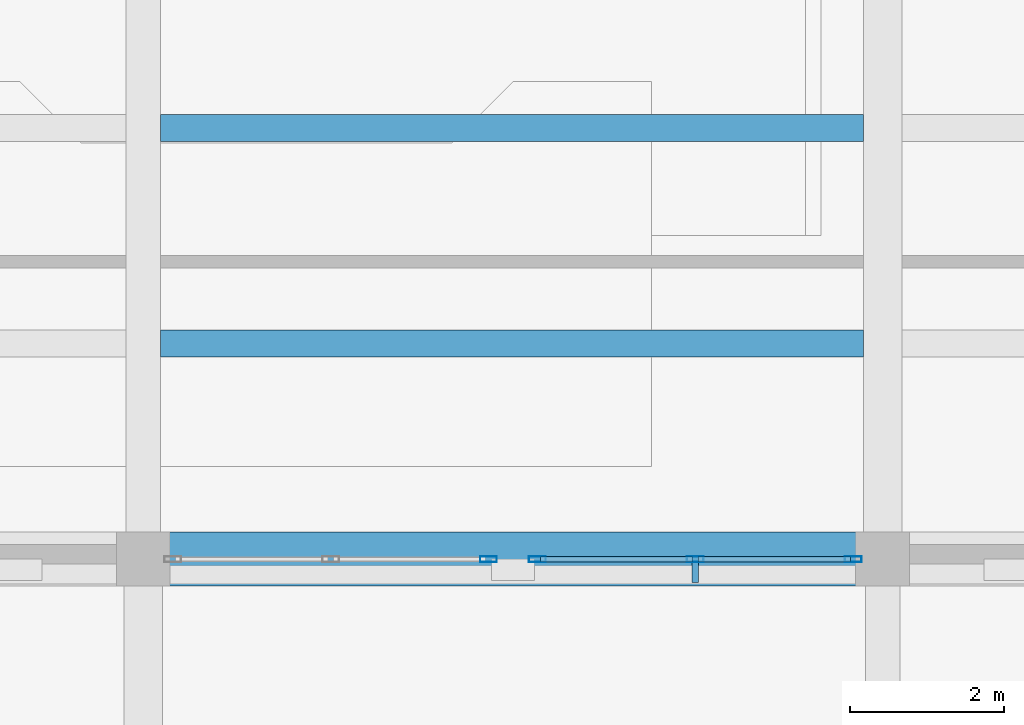
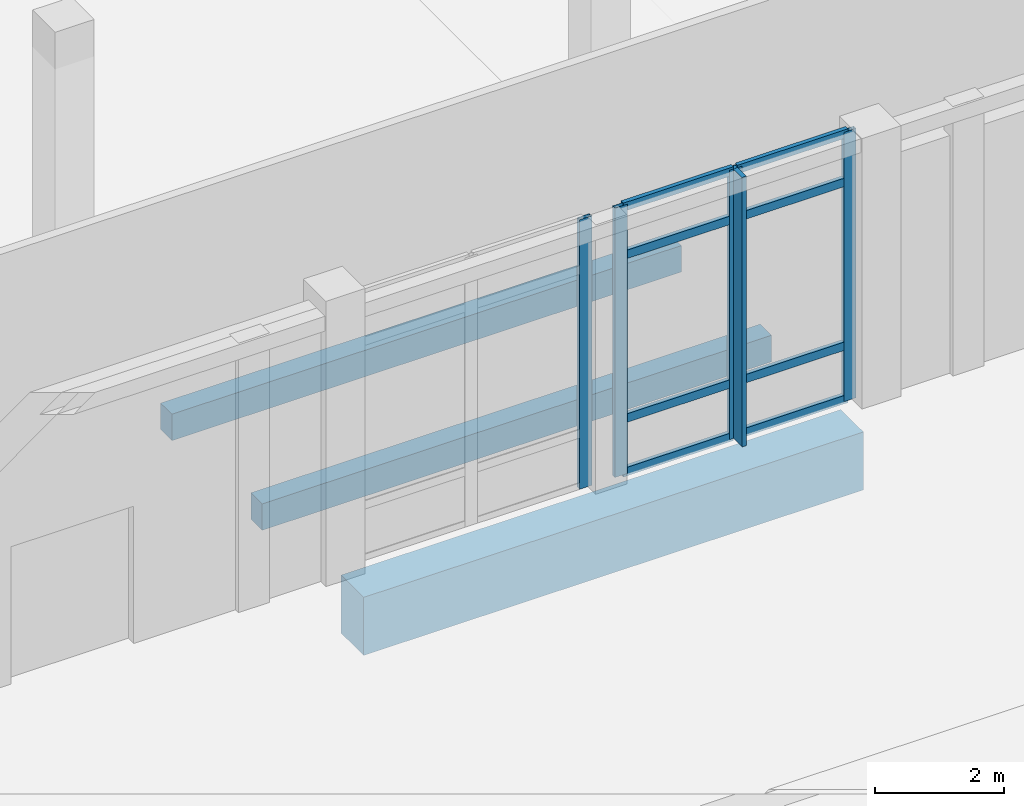
# One storey, part 24 of 71: 13 members, 3 beams, 2 elements without a shape of their own.
"""IFC4 building model written with IfcOpenShell, lengths in metres."""

from ifc_helpers import new_model, si_unit, direction, frame, origin, origin_2d, place, context, subcontext, project, spatial, rectangle, hollow_rectangle, extrude, material, layer, layer_set, material_profile, profile_set, type_object, element, aggregate, save


model = new_model("IFC4")

# Units and contexts
model_context = context("Model", 3, precision=1e-05, world=origin(), true_north=direction((0.0, 1.0)))
body_context = subcontext(model_context, "Body", "Model", "MODEL_VIEW")
ifc_project = project(units=[si_unit("LENGTHUNIT", "METRE"), si_unit("AREAUNIT", "SQUARE_METRE"), si_unit("VOLUMEUNIT", "CUBIC_METRE"), si_unit("PLANEANGLEUNIT", "RADIAN"), si_unit("MASSUNIT", "GRAM", prefix="KILO")], contexts=[model_context])

# Site, building, storey
site_placement = place(None, origin())
site = spatial("IfcSite", under=ifc_project, at=site_placement, CompositionType="ELEMENT")
building_placement = place(site_placement, origin())
building = spatial("IfcBuilding", under=site, at=building_placement, Name="Lornevale Opera House", CompositionType="ELEMENT")
storey_placement = place(building_placement, origin())
storey = spatial("IfcBuildingStorey", under=building, at=storey_placement, Name="L01", CompositionType="ELEMENT", Elevation=0.0)

# Beams
ifc_material_1 = material(Name="Concrete 40 MPa (CSA A23.1 C-1)", Category="concrete")
ifc_material_profile_1 = material_profile(ifc_material_1, rectangle(XDim=0.699951171875, YDim=1.10009765625, at=origin_2d()), Name="RC700x1100")
ifc_profile_set_1 = profile_set([ifc_material_profile_1], Name="Concrete 40 MPa (CSA A23.1 C-1)")
beam_type_1 = type_object("IfcBeamType", Name="Concrete Primary Girder 700x1100", PredefinedType="USERDEFINED", material=ifc_profile_set_1)
beam_placement = place(storey_placement, frame((86.72509765625, 16.800048828125, -0.989990234375), z_axis=(1.0, 0.0, 0.0), x_axis=(0.0, 1.0, 0.0)))
element("IfcBeam", 1, at=beam_placement, inside=storey, type_object=beam_type_1, Name="Concrete Primary Girder 700x1100 0881", ObjectType="GIRDER", PredefinedType="USERDEFINED", context=body_context, shape_type="SweptSolid", body=[
    extrude(rectangle(XDim=0.699951171875, YDim=1.10009765625, at=origin_2d()), origin(), (0.0, 0.0, 1.0), 8.949951171875),
])
ifc_material_2 = material(Name="Concrete 35 MPa (CSA A23.1 N)", Category="concrete")
ifc_material_profile_2 = material_profile(ifc_material_2, rectangle(XDim=0.35009765625, YDim=0.5, at=origin_2d()), Name="RC350x500")
ifc_profile_set_2 = profile_set([ifc_material_profile_2], Name="Concrete 35 MPa (CSA A23.1 N)")
beam_type_2 = type_object("IfcBeamType", Name="Concrete Secondary Rib 350x500", PredefinedType="JOIST", material=ifc_profile_set_2)
for number, where, z_axis, x_axis, name in (
    (2, (86.625, 19.60009765625, -0.68994140625), (1.0, 0.0, 0.0), (0.0, 1.0, 0.0), "Concrete Secondary Rib 350x500 1517"),
    (3, (86.625, 22.39990234375, -0.68994140625), (1.0, 0.0, 0.0), (0.0, 1.0, 0.0), "Concrete Secondary Rib 350x500 1518"),
):
    element("IfcBeam", number, at=place(storey_placement, frame(where, z_axis=z_axis, x_axis=x_axis)), inside=storey, type_object=beam_type_2, Name=name, PredefinedType="JOIST", context=body_context, shape_type="SweptSolid", body=[
        extrude(rectangle(XDim=0.35009765625, YDim=0.5, at=origin_2d()), origin(), (0.0, 0.0, 1.0), 9.125),
    ])

# Curtain wall, members
ifc_material_3 = material(Name="Anodized Oxide-Green Aluminium Framing", Category="aluminium")
ifc_layer = layer(ifc_material_3, 0.215087890625)
ifc_layer_set = layer_set([ifc_layer], Name="Anodized Oxide-Green Aluminium Framing")
curtain_wall_type = type_object("IfcCurtainWallType", Name="Grand Foyer Curtain Wall M2000", PredefinedType="NOTDEFINED", material=ifc_layer_set)
curtain_wall_1_placement = place(storey_placement, origin())
curtain_wall_1 = element("IfcCurtainWall", 4, at=curtain_wall_1_placement, inside=storey, type_object=curtain_wall_type, Name="Grand Foyer Curtain Wall M2000 CW-015", PredefinedType="NOTDEFINED")
ifc_material_profile_3 = material_profile(ifc_material_3, hollow_rectangle(XDim=0.074951171875, YDim=0.219970703125, WallThickness=0.0048828125, at=origin_2d()), Name="ALU75x220x5")
ifc_profile_set_3 = profile_set([ifc_material_profile_3], Name="Anodized Oxide-Green Aluminium Framing")
member_type_1 = type_object("IfcMemberType", Name="Curtain Wall Mullion 75x220", PredefinedType="MULLION", material=ifc_profile_set_3)
member_1_placement = place(storey_placement, frame((95.616455078125, 16.800048828125, 0.0), z_axis=(0.0, 0.0, 1.0), x_axis=(0.0, -1.0, 0.0)))
member_1 = element("IfcMember", 5, at=member_1_placement, type_object=member_type_1, Name="Curtain Wall Mullion 75x220 CW0239", PredefinedType="MULLION", context=body_context, shape_type="SweptSolid", body=[
    extrude(hollow_rectangle(XDim=0.074951171875, YDim=0.219970703125, WallThickness=0.0048828125, at=origin_2d()), origin(), (0.0, 0.0, 1.0), 5.10009765625),
])
member_2_placement = place(storey_placement, frame((93.56689453125, 16.800048828125, 0.0), z_axis=(0.0, 0.0, 1.0), x_axis=(0.0, -1.0, 0.0)))
member_2 = element("IfcMember", 6, at=member_2_placement, type_object=member_type_1, Name="Curtain Wall Mullion 75x220 CW0240", PredefinedType="MULLION", context=body_context, shape_type="SweptSolid", body=[
    extrude(hollow_rectangle(XDim=0.074951171875, YDim=0.219970703125, WallThickness=0.0048828125, at=origin_2d()), origin(), (0.0, 0.0, 1.0), 5.10009765625),
])
member_3_placement = place(storey_placement, frame((91.517578125, 16.800048828125, 0.0), z_axis=(0.0, 0.0, 1.0), x_axis=(0.0, -1.0, 0.0)))
member_3 = element("IfcMember", 7, at=member_3_placement, type_object=member_type_1, Name="Curtain Wall Mullion 75x220 CW0241", PredefinedType="MULLION", context=body_context, shape_type="SweptSolid", body=[
    extrude(hollow_rectangle(XDim=0.074951171875, YDim=0.219970703125, WallThickness=0.0048828125, at=origin_2d()), origin(), (0.0, 0.0, 1.0), 5.10009765625),
])

# Curtain wall, member
curtain_wall_2_placement = place(storey_placement, origin())
curtain_wall_2 = element("IfcCurtainWall", 8, at=curtain_wall_2_placement, inside=storey, type_object=curtain_wall_type, Name="Grand Foyer Curtain Wall M2000 CW-016", PredefinedType="NOTDEFINED")
member_4_placement = place(storey_placement, frame((90.882568359375, 16.800048828125, 0.0), z_axis=(0.0, 0.0, 1.0), x_axis=(0.0, -1.0, 0.0)))
member_4 = element("IfcMember", 9, at=member_4_placement, type_object=member_type_1, Name="Curtain Wall Mullion 75x220 CW0256", PredefinedType="MULLION", context=body_context, shape_type="SweptSolid", body=[
    extrude(hollow_rectangle(XDim=0.074951171875, YDim=0.219970703125, WallThickness=0.0048828125, at=origin_2d()), origin(), (0.0, 0.0, 1.0), 5.10009765625),
])
aggregate(curtain_wall_2, [member_4])

# Member
ifc_material_profile_4 = material_profile(ifc_material_3, hollow_rectangle(XDim=0.074951171875, YDim=0.159912109375, WallThickness=0.0048828125, at=origin_2d()), Name="ALU75x160x5")
ifc_profile_set_4 = profile_set([ifc_material_profile_4], Name="Anodized Oxide-Green Aluminium Framing")
member_type_2 = type_object("IfcMemberType", Name="Curtain Wall Transom 75x160", PredefinedType="USERDEFINED", material=ifc_profile_set_4)
member_5_placement = place(storey_placement, frame((95.5791015625, 16.800048828125, 0.03759765625), z_axis=(-1.0, 0.0, 0.0), x_axis=(0.0, -1.0, 0.0)))
member_5 = element("IfcMember", 10, at=member_5_placement, type_object=member_type_2, Name="Curtain Wall Transom 75x160 CW0242", ObjectType="TRANSOM", PredefinedType="USERDEFINED", context=body_context, shape_type="SweptSolid", body=[
    extrude(hollow_rectangle(XDim=0.074951171875, YDim=0.159912109375, WallThickness=0.0048828125, at=origin_2d()), origin(), (0.0, 0.0, 1.0), 1.974609375),
])

member_6_placement = place(storey_placement, frame((95.5791015625, 16.800048828125, 1.050048828125), z_axis=(-1.0, 0.0, 0.0), x_axis=(0.0, -1.0, 0.0)))
member_6 = element("IfcMember", 11, at=member_6_placement, type_object=member_type_2, Name="Curtain Wall Transom 75x160 CW0243", ObjectType="TRANSOM", PredefinedType="USERDEFINED", context=body_context, shape_type="SweptSolid", body=[
    extrude(hollow_rectangle(XDim=0.074951171875, YDim=0.159912109375, WallThickness=0.0048828125, at=origin_2d()), origin(), (0.0, 0.0, 1.0), 1.974609375),
])

member_7_placement = place(storey_placement, frame((95.5791015625, 16.800048828125, 4.14990234375), z_axis=(-1.0, 0.0, 0.0), x_axis=(0.0, -1.0, 0.0)))
member_7 = element("IfcMember", 12, at=member_7_placement, type_object=member_type_2, Name="Curtain Wall Transom 75x160 CW0244", ObjectType="TRANSOM", PredefinedType="USERDEFINED", context=body_context, shape_type="SweptSolid", body=[
    extrude(hollow_rectangle(XDim=0.074951171875, YDim=0.159912109375, WallThickness=0.0048828125, at=origin_2d()), origin(), (0.0, 0.0, 1.0), 1.974609375),
])

member_8_placement = place(storey_placement, frame((95.5791015625, 16.800048828125, 5.0625), z_axis=(-1.0, 0.0, 0.0), x_axis=(0.0, -1.0, 0.0)))
member_8 = element("IfcMember", 13, at=member_8_placement, type_object=member_type_2, Name="Curtain Wall Transom 75x160 CW0245", ObjectType="TRANSOM", PredefinedType="USERDEFINED", context=body_context, shape_type="SweptSolid", body=[
    extrude(hollow_rectangle(XDim=0.074951171875, YDim=0.159912109375, WallThickness=0.0048828125, at=origin_2d()), origin(), (0.0, 0.0, 1.0), 1.974609375),
])

member_9_placement = place(storey_placement, frame((93.529541015625, 16.800048828125, 0.03759765625), z_axis=(-1.0, 0.0, 0.0), x_axis=(0.0, -1.0, 0.0)))
member_9 = element("IfcMember", 14, at=member_9_placement, type_object=member_type_2, Name="Curtain Wall Transom 75x160 CW0249", ObjectType="TRANSOM", PredefinedType="USERDEFINED", context=body_context, shape_type="SweptSolid", body=[
    extrude(hollow_rectangle(XDim=0.074951171875, YDim=0.159912109375, WallThickness=0.0048828125, at=origin_2d()), origin(), (0.0, 0.0, 1.0), 1.974609375),
])

member_10_placement = place(storey_placement, frame((93.529541015625, 16.800048828125, 1.050048828125), z_axis=(-1.0, 0.0, 0.0), x_axis=(0.0, -1.0, 0.0)))
member_10 = element("IfcMember", 15, at=member_10_placement, type_object=member_type_2, Name="Curtain Wall Transom 75x160 CW0250", ObjectType="TRANSOM", PredefinedType="USERDEFINED", context=body_context, shape_type="SweptSolid", body=[
    extrude(hollow_rectangle(XDim=0.074951171875, YDim=0.159912109375, WallThickness=0.0048828125, at=origin_2d()), origin(), (0.0, 0.0, 1.0), 1.974609375),
])

member_11_placement = place(storey_placement, frame((93.529541015625, 16.800048828125, 4.14990234375), z_axis=(-1.0, 0.0, 0.0), x_axis=(0.0, -1.0, 0.0)))
member_11 = element("IfcMember", 16, at=member_11_placement, type_object=member_type_2, Name="Curtain Wall Transom 75x160 CW0251", ObjectType="TRANSOM", PredefinedType="USERDEFINED", context=body_context, shape_type="SweptSolid", body=[
    extrude(hollow_rectangle(XDim=0.074951171875, YDim=0.159912109375, WallThickness=0.0048828125, at=origin_2d()), origin(), (0.0, 0.0, 1.0), 1.974609375),
])

member_12_placement = place(storey_placement, frame((93.529541015625, 16.800048828125, 5.0625), z_axis=(-1.0, 0.0, 0.0), x_axis=(0.0, -1.0, 0.0)))
member_12 = element("IfcMember", 17, at=member_12_placement, type_object=member_type_2, Name="Curtain Wall Transom 75x160 CW0252", ObjectType="TRANSOM", PredefinedType="USERDEFINED", context=body_context, shape_type="SweptSolid", body=[
    extrude(hollow_rectangle(XDim=0.074951171875, YDim=0.159912109375, WallThickness=0.0048828125, at=origin_2d()), origin(), (0.0, 0.0, 1.0), 1.974609375),
])

ifc_material_4 = material(Name="Architectural Bronze Solar Louvre Alloy", Category="metal")
ifc_material_profile_5 = material_profile(ifc_material_4, rectangle(XDim=0.080078125, YDim=0.360107421875, at=origin_2d()), Name="FIN80x360")
ifc_profile_set_5 = profile_set([ifc_material_profile_5], Name="Architectural Bronze Solar Louvre Alloy")
member_type_3 = type_object("IfcMemberType", Name="Solar Shading Fin 80x360", PredefinedType="USERDEFINED", material=ifc_profile_set_5)
member_13_placement = place(storey_placement, frame((93.56689453125, 16.674072265625, 0.0), z_axis=(0.0, 0.0, 1.0), x_axis=(-1.0, 0.0, 0.0)))
member_13 = element("IfcMember", 18, at=member_13_placement, type_object=member_type_3, Name="Solar Shading Fin 80x360 FIN0008", ObjectType="SOLAR FIN", PredefinedType="USERDEFINED", context=body_context, shape_type="SweptSolid", body=[
    extrude(rectangle(XDim=0.080078125, YDim=0.360107421875, at=origin_2d()), origin(), (0.0, 0.0, 1.0), 5.10009765625),
])

aggregate(curtain_wall_1, [member_1, member_2, member_3, member_5, member_6, member_7, member_8, member_9, member_10, member_11, member_12, member_13])

save(model, "model.ifc")
